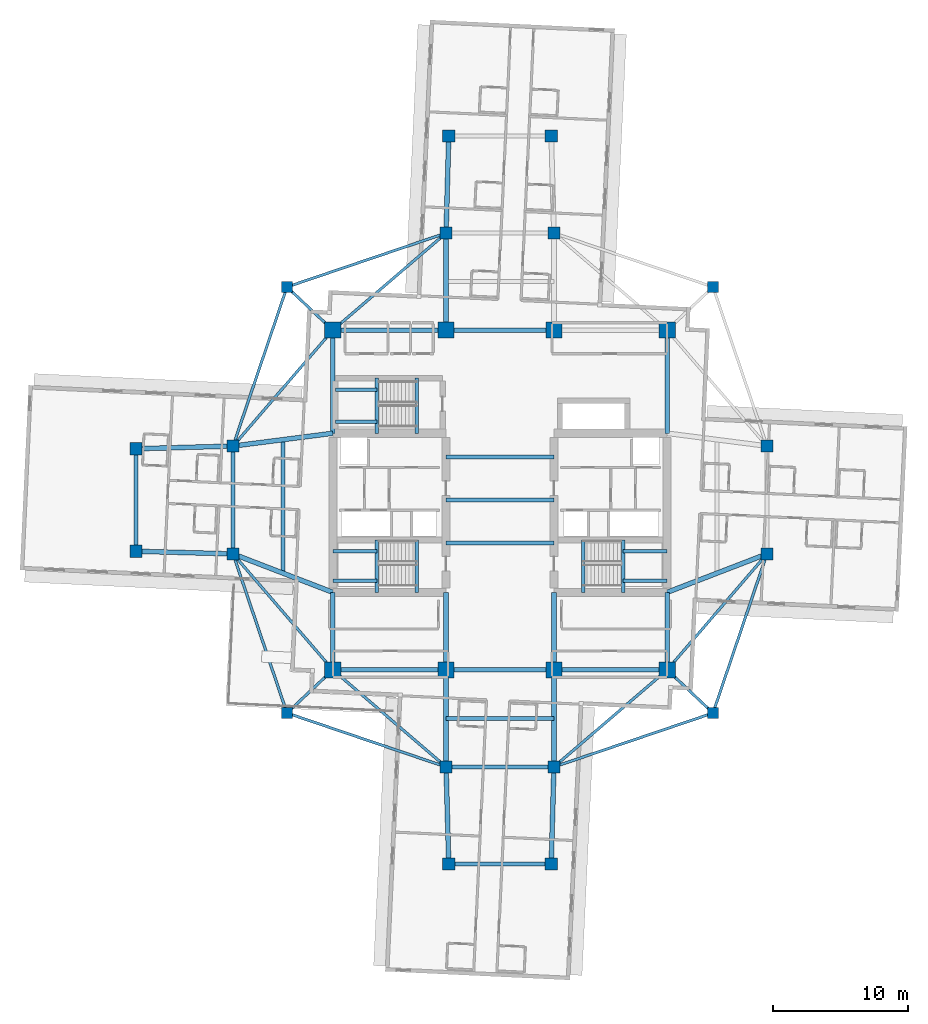
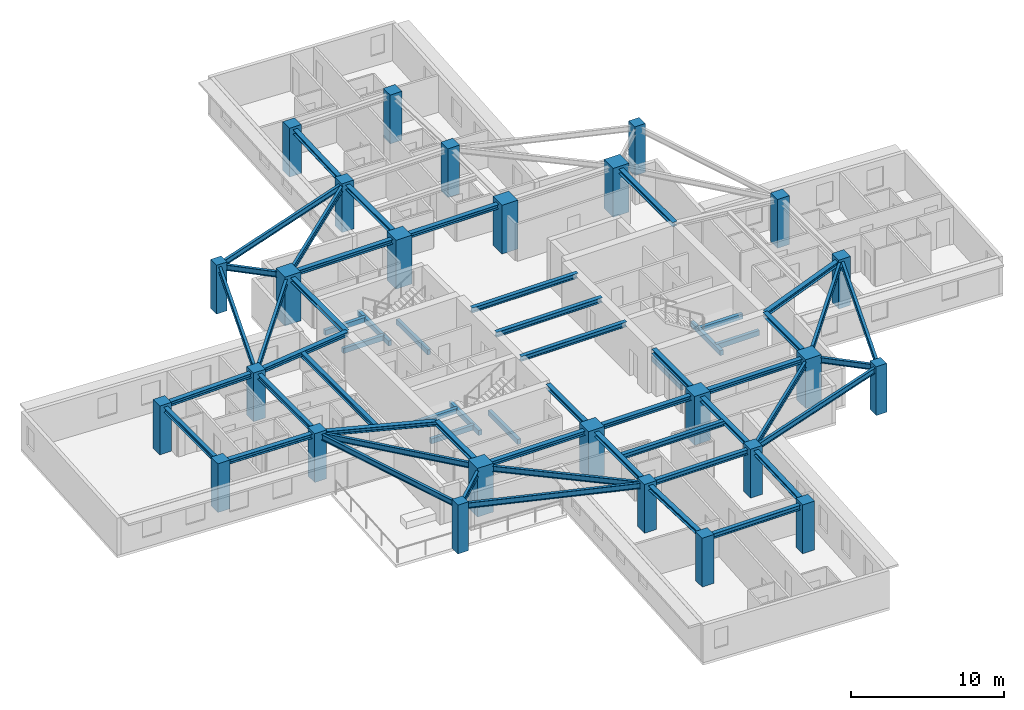
# One storey, part 1 of 14: 58 beams, 26 columns.
"""IFC4 building model written with IfcOpenShell, lengths in metres."""

from ifc_helpers import new_model, si_unit, direction, frame, origin, origin_2d, place, context, subcontext, project, spatial, rectangle, i_section, extrude, material, material_profile, profile_set, type_object, element, save


model = new_model("IFC4")

# Units and contexts
model_context = context("Model", 3, precision=1e-05, world=origin(), true_north=direction((0.0, 1.0)))
body_context = subcontext(model_context, "Body", "Model", "MODEL_VIEW")
ifc_project = project(units=[si_unit("LENGTHUNIT", "METRE"), si_unit("AREAUNIT", "SQUARE_METRE"), si_unit("VOLUMEUNIT", "CUBIC_METRE"), si_unit("PLANEANGLEUNIT", "RADIAN"), si_unit("MASSUNIT", "GRAM", prefix="KILO")], contexts=[model_context])

# Site, building, storey
site_placement = place(None, origin())
site = spatial("IfcSite", under=ifc_project, at=site_placement, CompositionType="ELEMENT")
building_placement = place(site_placement, origin())
building = spatial("IfcBuilding", under=site, at=building_placement, Name="Qingluan Cross Belvedere", CompositionType="ELEMENT")
storey_placement = place(building_placement, frame((0.0, 0.0, 156.60009765625)))
storey = spatial("IfcBuildingStorey", under=building, at=storey_placement, Name="L39", CompositionType="ELEMENT", Elevation=156.60009765625)

# Columns
ifc_material_1 = material(Name="Concrete C60", Category="concrete")
ifc_material_profile_1 = material_profile(ifc_material_1, rectangle(XDim=1.199951171875, YDim=1.199951171875, at=origin_2d()), Name="RC1200x1200")
ifc_profile_set_1 = profile_set([ifc_material_profile_1], Name="Concrete C60")
column_type_1 = type_object("IfcColumnType", Name="Column_RC1200x1200", PredefinedType="COLUMN", material=ifc_profile_set_1)
for number, where, z_axis, x_axis, name in (
    (1, (-12.39990234375, -12.60009765625, 0.0), (0.0, 0.0, 1.0), (1.0, 0.0, 0.0), "Hub column L39-HC1"),
    (2, (12.39990234375, -12.60009765625, 0.0), (0.0, 0.0, 1.0), (1.0, 0.0, 0.0), "Hub column L39-HC2"),
    (3, (12.39990234375, 12.60009765625, 0.0), (0.0, 0.0, 1.0), (1.0, 0.0, 0.0), "Hub column L39-HC3"),
    (4, (-12.39990234375, 12.60009765625, 0.0), (0.0, 0.0, 1.0), (1.0, 0.0, 0.0), "Hub column L39-HC4"),
    (5, (-4.0, -12.60009765625, 0.0), (0.0, 0.0, 1.0), (1.0, 0.0, 0.0), "Hub column L39-HC5"),
    (6, (4.0, -12.60009765625, 0.0), (0.0, 0.0, 1.0), (1.0, 0.0, 0.0), "Hub column L39-HC6"),
    (7, (4.0, 12.60009765625, 0.0), (0.0, 0.0, 1.0), (1.0, 0.0, 0.0), "Hub column L39-HC7"),
    (8, (-4.0, 12.60009765625, 0.0), (0.0, 0.0, 1.0), (1.0, 0.0, 0.0), "Hub column L39-HC8"),
):
    element("IfcColumn", number, at=place(storey_placement, frame(where, z_axis=z_axis, x_axis=x_axis)), inside=storey, type_object=column_type_1, Name=name, PredefinedType="COLUMN", context=body_context, shape_type="SweptSolid", body=[
        extrude(rectangle(XDim=1.199951171875, YDim=1.199951171875, at=origin_2d()), origin(), (0.0, 0.0, 1.0), 3.89990234375),
    ])
ifc_material_2 = material(Name="Concrete C50", Category="concrete")
ifc_material_profile_2 = material_profile(ifc_material_2, rectangle(XDim=0.800048828125, YDim=0.800048828125, at=origin_2d()), Name="RC800x800")
ifc_profile_set_2 = profile_set([ifc_material_profile_2], Name="Concrete C50")
column_type_2 = type_object("IfcColumnType", Name="Column_RC800x800", PredefinedType="COLUMN", material=ifc_profile_set_2)
for number, where, z_axis, x_axis, name in (
    (9, (15.800048828125, 15.800048828125, 0.0), (0.0, 0.0, 1.0), (1.0, 0.0, 0.0), "Corner column L39-RNE"),
    (10, (-15.800048828125, 15.800048828125, 0.0), (0.0, 0.0, 1.0), (1.0, 0.0, 0.0), "Corner column L39-RNW"),
    (11, (-15.800048828125, -15.800048828125, 0.0), (0.0, 0.0, 1.0), (1.0, 0.0, 0.0), "Corner column L39-RSW"),
    (12, (15.800048828125, -15.800048828125, 0.0), (0.0, 0.0, 1.0), (1.0, 0.0, 0.0), "Corner column L39-RSE"),
):
    element("IfcColumn", number, at=place(storey_placement, frame(where, z_axis=z_axis, x_axis=x_axis)), inside=storey, type_object=column_type_2, Name=name, PredefinedType="COLUMN", context=body_context, shape_type="SweptSolid", body=[
        extrude(rectangle(XDim=0.800048828125, YDim=0.800048828125, at=origin_2d()), origin(), (0.0, 0.0, 1.0), 3.89990234375),
    ])
ifc_material_3 = material(Name="Concrete C50", Category="concrete")
ifc_material_profile_3 = material_profile(ifc_material_3, rectangle(XDim=0.89990234375, YDim=0.89990234375, at=origin_2d()), Name="RC900x900")
ifc_profile_set_3 = profile_set([ifc_material_profile_3], Name="Concrete C50")
column_type_3 = type_object("IfcColumnType", Name="Column_RC900x900", PredefinedType="COLUMN", material=ifc_profile_set_3)
for number, where, z_axis, x_axis, name in (
    (13, (19.800048828125, -4.0, 0.0), (0.0, 0.0, 1.0), (1.0, 0.0, 0.0), "Arm column L39-EIA"),
    (14, (19.800048828125, 4.0, 0.0), (0.0, 0.0, 1.0), (1.0, 0.0, 0.0), "Arm column L39-EIB"),
    (15, (-19.800048828125, -4.0, 0.0), (0.0, 0.0, 1.0), (1.0, 0.0, 0.0), "Arm column L39-WIA"),
    (16, (-19.800048828125, 4.0, 0.0), (0.0, 0.0, 1.0), (1.0, 0.0, 0.0), "Arm column L39-WIB"),
    (17, (-4.0, -19.800048828125, 0.0), (0.0, 0.0, 1.0), (1.0, 0.0, 0.0), "Arm column L39-SIA"),
    (18, (4.0, -19.800048828125, 0.0), (0.0, 0.0, 1.0), (1.0, 0.0, 0.0), "Arm column L39-SIB"),
    (19, (-4.0, 19.800048828125, 0.0), (0.0, 0.0, 1.0), (1.0, 0.0, 0.0), "Arm column L39-NIA"),
    (20, (4.0, 19.800048828125, 0.0), (0.0, 0.0, 1.0), (1.0, 0.0, 0.0), "Arm column L39-NIB"),
    (21, (-27.0, -3.800048828125, 0.0), (0.0, 0.0, 1.0), (1.0, 0.0, 0.0), "Arm column L39-WOA"),
    (22, (-27.0, 3.800048828125, 0.0), (0.0, 0.0, 1.0), (1.0, 0.0, 0.0), "Arm column L39-WOB"),
    (23, (-3.800048828125, -27.0, 0.0), (0.0, 0.0, 1.0), (1.0, 0.0, 0.0), "Arm column L39-SOA"),
    (24, (3.800048828125, -27.0, 0.0), (0.0, 0.0, 1.0), (1.0, 0.0, 0.0), "Arm column L39-SOB"),
    (25, (-3.800048828125, 27.0, 0.0), (0.0, 0.0, 1.0), (1.0, 0.0, 0.0), "Arm column L39-NOA"),
    (26, (3.800048828125, 27.0, 0.0), (0.0, 0.0, 1.0), (1.0, 0.0, 0.0), "Arm column L39-NOB"),
):
    element("IfcColumn", number, at=place(storey_placement, frame(where, z_axis=z_axis, x_axis=x_axis)), inside=storey, type_object=column_type_3, Name=name, PredefinedType="COLUMN", context=body_context, shape_type="SweptSolid", body=[
        extrude(rectangle(XDim=0.89990234375, YDim=0.89990234375, at=origin_2d()), origin(), (0.0, 0.0, 1.0), 3.89990234375),
    ])

# Beams
ifc_material_4 = material(Name="Concrete C45", Category="concrete")
ifc_material_profile_4 = material_profile(ifc_material_4, rectangle(XDim=0.25, YDim=0.39990234375, at=origin_2d()), Name="RC250x400")
ifc_profile_set_4 = profile_set([ifc_material_profile_4], Name="Concrete C45")
beam_type_1 = type_object("IfcBeamType", Name="RC_Lintel_RC250x400", PredefinedType="LINTEL", material=ifc_profile_set_4)
for number, where, z_axis, x_axis, name in (
    (27, (-6.179931640625, -6.85009765625, -0.2001953125), (0.0, 1.0, 0.0), (-1.0, 0.0, 0.0), "Stair ST1 landing beam L39"),
    (28, (6.179931640625, -6.85009765625, -0.2001953125), (0.0, 1.0, 0.0), (-1.0, 0.0, 0.0), "Stair ST2 landing beam L39"),
):
    element("IfcBeam", number, at=place(storey_placement, frame(where, z_axis=z_axis, x_axis=x_axis)), inside=storey, type_object=beam_type_1, Name=name, PredefinedType="LINTEL", context=body_context, shape_type="SweptSolid", body=[
        extrude(rectangle(XDim=0.25, YDim=0.39990234375, at=origin_2d()), origin(), (0.0, 0.0, 1.0), 3.89013671875),
    ])
beam_1_placement = place(storey_placement, frame((-6.179931640625, 4.949951171875, -0.2001953125), z_axis=(0.0, 1.0, 0.0), x_axis=(-1.0, 0.0, 0.0)))
element("IfcBeam", 29, at=beam_1_placement, inside=storey, type_object=beam_type_1, Name="Stair ST3 landing beam L39", PredefinedType="LINTEL", context=body_context, shape_type="SweptSolid", body=[
    extrude(rectangle(XDim=0.25, YDim=0.39990234375, at=origin_2d()), origin(), (0.0, 0.0, 1.0), 4.090087890625),
])
beam_2_placement = place(storey_placement, frame((-9.1298828125, -6.85009765625, 1.5498046875), z_axis=(0.0, 1.0, 0.0), x_axis=(-1.0, 0.0, 0.0)))
element("IfcBeam", 30, at=beam_2_placement, inside=storey, type_object=beam_type_1, Name="Stair ST1 beam A L39", PredefinedType="LINTEL", context=body_context, shape_type="SweptSolid", body=[
    extrude(rectangle(XDim=0.25, YDim=0.39990234375, at=origin_2d()), origin(), (0.0, 0.0, 1.0), 3.89013671875),
])
for number, where, z_axis, x_axis, name in (
    (31, (-12.39990234375, -6.0, 1.5498046875), (1.0, 0.0, 0.0), (0.0, 1.0, 0.0), "Stair ST1 beam B L39"),
    (32, (-12.39990234375, -3.81005859375, 1.5498046875), (1.0, 0.0, 0.0), (0.0, 1.0, 0.0), "Stair ST1 beam C L39"),
):
    element("IfcBeam", number, at=place(storey_placement, frame(where, z_axis=z_axis, x_axis=x_axis)), inside=storey, type_object=beam_type_1, Name=name, PredefinedType="LINTEL", context=body_context, shape_type="SweptSolid", body=[
        extrude(rectangle(XDim=0.25, YDim=0.39990234375, at=origin_2d()), origin(), (0.0, 0.0, 1.0), 3.27001953125),
    ])
beam_3_placement = place(storey_placement, frame((9.1298828125, -6.85009765625, 1.5498046875), z_axis=(0.0, 1.0, 0.0), x_axis=(-1.0, 0.0, 0.0)))
element("IfcBeam", 33, at=beam_3_placement, inside=storey, type_object=beam_type_1, Name="Stair ST2 beam A L39", PredefinedType="LINTEL", context=body_context, shape_type="SweptSolid", body=[
    extrude(rectangle(XDim=0.25, YDim=0.39990234375, at=origin_2d()), origin(), (0.0, 0.0, 1.0), 3.89013671875),
])
for number, where, z_axis, x_axis, name in (
    (34, (12.39990234375, -6.0, 1.5498046875), (-1.0, 0.0, 0.0), (0.0, -1.0, 0.0), "Stair ST2 beam B L39"),
    (35, (12.39990234375, -3.81005859375, 1.5498046875), (-1.0, 0.0, 0.0), (0.0, -1.0, 0.0), "Stair ST2 beam C L39"),
):
    element("IfcBeam", number, at=place(storey_placement, frame(where, z_axis=z_axis, x_axis=x_axis)), inside=storey, type_object=beam_type_1, Name=name, PredefinedType="LINTEL", context=body_context, shape_type="SweptSolid", body=[
        extrude(rectangle(XDim=0.25, YDim=0.39990234375, at=origin_2d()), origin(), (0.0, 0.0, 1.0), 3.27001953125),
    ])
beam_4_placement = place(storey_placement, frame((-9.1298828125, 4.949951171875, 1.5498046875), z_axis=(0.0, 1.0, 0.0), x_axis=(-1.0, 0.0, 0.0)))
element("IfcBeam", 36, at=beam_4_placement, inside=storey, type_object=beam_type_1, Name="Stair ST3 beam A L39", PredefinedType="LINTEL", context=body_context, shape_type="SweptSolid", body=[
    extrude(rectangle(XDim=0.25, YDim=0.39990234375, at=origin_2d()), origin(), (0.0, 0.0, 1.0), 4.090087890625),
])
for number, where, z_axis, x_axis, name in (
    (37, (-12.219970703125, 5.800048828125, 1.5498046875), (1.0, 0.0, 0.0), (0.0, 1.0, 0.0), "Stair ST3 beam B L39"),
    (38, (-12.219970703125, 8.18994140625, 1.5498046875), (1.0, 0.0, 0.0), (0.0, 1.0, 0.0), "Stair ST3 beam C L39"),
):
    element("IfcBeam", number, at=place(storey_placement, frame(where, z_axis=z_axis, x_axis=x_axis)), inside=storey, type_object=beam_type_1, Name=name, PredefinedType="LINTEL", context=body_context, shape_type="SweptSolid", body=[
        extrude(rectangle(XDim=0.25, YDim=0.39990234375, at=origin_2d()), origin(), (0.0, 0.0, 1.0), 3.090087890625),
    ])
ifc_material_5 = material(Name="Steel Q420GJB", Category="steel")
ifc_material_profile_5 = material_profile(ifc_material_5, i_section(OverallWidth=0.300048828125, OverallDepth=0.389892578125, WebThickness=0.010009765625, FlangeThickness=0.01611328125, FilletRadius=0.01806640625, at=origin_2d()), Name="HM390x300x10x16")
ifc_profile_set_5 = profile_set([ifc_material_profile_5], Name="Steel Q420GJB")
beam_type_2 = type_object("IfcBeamType", Name="Steel_Beam_HM390x300x10x16", PredefinedType="BEAM", material=ifc_profile_set_5)
for number, where, z_axis, x_axis, name in (
    (39, (-4.0, -3.199951171875, 3.5048828125), (1.0, 0.0, 0.0), (0.0, 1.0, 0.0), "Hall beam L39-CH1"),
    (40, (-4.0, 0.0, 3.5048828125), (1.0, 0.0, 0.0), (0.0, 1.0, 0.0), "Hall beam L39-CH2"),
    (41, (-4.0, 3.199951171875, 3.5048828125), (1.0, 0.0, 0.0), (0.0, 1.0, 0.0), "Hall beam L39-CH3"),
    (42, (-19.800048828125, -4.0, 3.5048828125), (0.0, 1.0, 0.0), (-1.0, 0.0, 0.0), "Arm W tie L39"),
):
    element("IfcBeam", number, at=place(storey_placement, frame(where, z_axis=z_axis, x_axis=x_axis)), inside=storey, type_object=beam_type_2, Name=name, PredefinedType="BEAM", context=body_context, shape_type="SweptSolid", body=[
        extrude(i_section(OverallWidth=0.300048828125, OverallDepth=0.389892578125, WebThickness=0.010009765625, FlangeThickness=0.01611328125, FilletRadius=0.01806640625, at=origin_2d()), origin(), (0.0, 0.0, 1.0), 8.0),
    ])
beam_5_placement = place(storey_placement, frame((-16.10009765625, -5.425048828125, 3.5048828125), z_axis=(0.0, 1.0, 0.0), x_axis=(-1.0, 0.0, 0.0)))
element("IfcBeam", 43, at=beam_5_placement, inside=storey, type_object=beam_type_2, Name="Arm W beam L39", PredefinedType="BEAM", context=body_context, shape_type="SweptSolid", body=[
    extrude(i_section(OverallWidth=0.300048828125, OverallDepth=0.389892578125, WebThickness=0.010009765625, FlangeThickness=0.01611328125, FilletRadius=0.01806640625, at=origin_2d()), origin(), (0.0, 0.0, 1.0), 9.900146484375),
])
beam_6_placement = place(storey_placement, frame((-27.0, -3.800048828125, 3.5048828125), z_axis=(0.0, 1.0, 0.0), x_axis=(-1.0, 0.0, 0.0)))
element("IfcBeam", 44, at=beam_6_placement, inside=storey, type_object=beam_type_2, Name="Arm W tip transverse beam L39", PredefinedType="BEAM", context=body_context, shape_type="SweptSolid", body=[
    extrude(i_section(OverallWidth=0.300048828125, OverallDepth=0.389892578125, WebThickness=0.010009765625, FlangeThickness=0.01611328125, FilletRadius=0.01806640625, at=origin_2d()), origin(), (0.0, 0.0, 1.0), 7.60009765625),
])
for number, where, z_axis, x_axis, name in (
    (45, (-4.0, -19.800048828125, 3.5048828125), (1.0, 0.0, 0.0), (0.0, 1.0, 0.0), "Arm S tie L39"),
    (46, (-4.0, -16.199951171875, 3.5048828125), (1.0, 0.0, 0.0), (0.0, 1.0, 0.0), "Arm S beam L39"),
):
    element("IfcBeam", number, at=place(storey_placement, frame(where, z_axis=z_axis, x_axis=x_axis)), inside=storey, type_object=beam_type_2, Name=name, PredefinedType="BEAM", context=body_context, shape_type="SweptSolid", body=[
        extrude(i_section(OverallWidth=0.300048828125, OverallDepth=0.389892578125, WebThickness=0.010009765625, FlangeThickness=0.01611328125, FilletRadius=0.01806640625, at=origin_2d()), origin(), (0.0, 0.0, 1.0), 8.0),
    ])
beam_7_placement = place(storey_placement, frame((-3.800048828125, -27.0, 3.5048828125), z_axis=(1.0, 0.0, 0.0), x_axis=(0.0, 1.0, 0.0)))
element("IfcBeam", 47, at=beam_7_placement, inside=storey, type_object=beam_type_2, Name="Arm S tip transverse beam L39", PredefinedType="BEAM", context=body_context, shape_type="SweptSolid", body=[
    extrude(i_section(OverallWidth=0.300048828125, OverallDepth=0.389892578125, WebThickness=0.010009765625, FlangeThickness=0.01611328125, FilletRadius=0.01806640625, at=origin_2d()), origin(), (0.0, 0.0, 1.0), 7.60009765625),
])
ifc_material_6 = material(Name="Steel Q420GJB", Category="steel")
ifc_material_profile_6 = material_profile(ifc_material_6, i_section(OverallWidth=0.199951171875, OverallDepth=0.449951171875, WebThickness=0.009033203125, FlangeThickness=0.013916015625, FilletRadius=0.01611328125, at=origin_2d()), Name="HN450x200x9x14")
ifc_profile_set_6 = profile_set([ifc_material_profile_6], Name="Steel Q420GJB")
beam_type_3 = type_object("IfcBeamType", Name="Steel_Beam_HN450x200x9x14", PredefinedType="JOIST", material=ifc_profile_set_6)
beam_8_placement = place(storey_placement, frame((-12.39990234375, 12.60009765625, 3.474853515625), z_axis=(-0.728219948308, 0.685343495546, 0.0), x_axis=(-0.685343495546, -0.728219948308, 0.0)))
element("IfcBeam", 48, at=beam_8_placement, inside=storey, type_object=beam_type_3, Name="Corner beam 1 L39-RNW", PredefinedType="JOIST", context=body_context, shape_type="SweptSolid", body=[
    extrude(i_section(OverallWidth=0.199951171875, OverallDepth=0.449951171875, WebThickness=0.009033203125, FlangeThickness=0.013916015625, FilletRadius=0.01611328125, at=origin_2d()), origin(), (0.0, 0.0, 1.0), 4.669189453125),
])
for number, where, z_axis, x_axis, name in (
    (49, (-15.800048828125, 15.800048828125, 3.474853515625), (0.947066283324, 0.321038089628, 0.0), (-0.321038089628, 0.947066283324, 0.0), "Corner beam 2 L39-RNW"),
    (50, (-15.800048828125, 15.800048828125, 3.474853515625), (-0.321038089628, -0.947066283324, 0.0), (0.947066283324, -0.321038089628, 0.0), "Corner beam 3 L39-RNW"),
):
    element("IfcBeam", number, at=place(storey_placement, frame(where, z_axis=z_axis, x_axis=x_axis)), inside=storey, type_object=beam_type_3, Name=name, PredefinedType="JOIST", context=body_context, shape_type="SweptSolid", body=[
        extrude(i_section(OverallWidth=0.199951171875, OverallDepth=0.449951171875, WebThickness=0.009033203125, FlangeThickness=0.013916015625, FilletRadius=0.01611328125, at=origin_2d()), origin(), (0.0, 0.0, 1.0), 12.45947265625),
    ])
beam_9_placement = place(storey_placement, frame((-12.39990234375, 12.60009765625, 3.474853515625), z_axis=(-0.652245077546, -0.75800815221, 0.0), x_axis=(0.75800815221, -0.652245077546, 0.0)))
element("IfcBeam", 51, at=beam_9_placement, inside=storey, type_object=beam_type_3, Name="Corner beam 4 L39-RNW", PredefinedType="JOIST", context=body_context, shape_type="SweptSolid", body=[
    extrude(i_section(OverallWidth=0.199951171875, OverallDepth=0.449951171875, WebThickness=0.009033203125, FlangeThickness=0.013916015625, FilletRadius=0.01611328125, at=origin_2d()), origin(), (0.0, 0.0, 1.0), 11.345703125),
])
beam_10_placement = place(storey_placement, frame((-12.39990234375, 12.60009765625, 3.474853515625), z_axis=(0.759255044656, 0.650793190779, 0.0), x_axis=(-0.650793190779, 0.759255044656, 0.0)))
element("IfcBeam", 52, at=beam_10_placement, inside=storey, type_object=beam_type_3, Name="Corner beam 5 L39-RNW", PredefinedType="JOIST", context=body_context, shape_type="SweptSolid", body=[
    extrude(i_section(OverallWidth=0.199951171875, OverallDepth=0.449951171875, WebThickness=0.009033203125, FlangeThickness=0.013916015625, FilletRadius=0.01611328125, at=origin_2d()), origin(), (0.0, 0.0, 1.0), 11.063232421875),
])
beam_11_placement = place(storey_placement, frame((-12.39990234375, -12.60009765625, 3.454833984375), z_axis=(-0.728219948308, -0.685343495546, 0.0), x_axis=(0.685343495546, -0.728219948308, 0.0)))
element("IfcBeam", 53, at=beam_11_placement, inside=storey, type_object=beam_type_3, Name="Corner beam 1 L39-RSW", PredefinedType="JOIST", context=body_context, shape_type="SweptSolid", body=[
    extrude(i_section(OverallWidth=0.199951171875, OverallDepth=0.449951171875, WebThickness=0.009033203125, FlangeThickness=0.013916015625, FilletRadius=0.01611328125, at=origin_2d()), origin(), (0.0, 0.0, 1.0), 4.669189453125),
])
for number, where, z_axis, x_axis, name in (
    (54, (-15.800048828125, -15.800048828125, 3.474853515625), (0.947066283324, -0.321038089628, 0.0), (0.321038089628, 0.947066283324, 0.0), "Corner beam 2 L39-RSW"),
    (55, (-15.800048828125, -15.800048828125, 3.454833984375), (-0.321038089628, 0.947066283324, 0.0), (-0.947066283324, -0.321038089628, 0.0), "Corner beam 3 L39-RSW"),
):
    element("IfcBeam", number, at=place(storey_placement, frame(where, z_axis=z_axis, x_axis=x_axis)), inside=storey, type_object=beam_type_3, Name=name, PredefinedType="JOIST", context=body_context, shape_type="SweptSolid", body=[
        extrude(i_section(OverallWidth=0.199951171875, OverallDepth=0.449951171875, WebThickness=0.009033203125, FlangeThickness=0.013916015625, FilletRadius=0.01611328125, at=origin_2d()), origin(), (0.0, 0.0, 1.0), 12.45947265625),
    ])
beam_12_placement = place(storey_placement, frame((-12.39990234375, -12.60009765625, 3.454833984375), z_axis=(-0.652245077546, 0.75800815221, 0.0), x_axis=(-0.75800815221, -0.652245077546, 0.0)))
element("IfcBeam", 56, at=beam_12_placement, inside=storey, type_object=beam_type_3, Name="Corner beam 4 L39-RSW", PredefinedType="JOIST", context=body_context, shape_type="SweptSolid", body=[
    extrude(i_section(OverallWidth=0.199951171875, OverallDepth=0.449951171875, WebThickness=0.009033203125, FlangeThickness=0.013916015625, FilletRadius=0.01611328125, at=origin_2d()), origin(), (0.0, 0.0, 1.0), 11.345703125),
])
beam_13_placement = place(storey_placement, frame((-12.39990234375, -12.60009765625, 3.454833984375), z_axis=(0.759255044656, -0.650793190779, 0.0), x_axis=(0.650793190779, 0.759255044656, 0.0)))
element("IfcBeam", 57, at=beam_13_placement, inside=storey, type_object=beam_type_3, Name="Corner beam 5 L39-RSW", PredefinedType="JOIST", context=body_context, shape_type="SweptSolid", body=[
    extrude(i_section(OverallWidth=0.199951171875, OverallDepth=0.449951171875, WebThickness=0.009033203125, FlangeThickness=0.013916015625, FilletRadius=0.01611328125, at=origin_2d()), origin(), (0.0, 0.0, 1.0), 11.063232421875),
])
beam_14_placement = place(storey_placement, frame((12.39990234375, -12.60009765625, 3.474853515625), z_axis=(0.728219948308, -0.685343495546, 0.0), x_axis=(0.685343495546, 0.728219948308, 0.0)))
element("IfcBeam", 58, at=beam_14_placement, inside=storey, type_object=beam_type_3, Name="Corner beam 1 L39-RSE", PredefinedType="JOIST", context=body_context, shape_type="SweptSolid", body=[
    extrude(i_section(OverallWidth=0.199951171875, OverallDepth=0.449951171875, WebThickness=0.009033203125, FlangeThickness=0.013916015625, FilletRadius=0.01611328125, at=origin_2d()), origin(), (0.0, 0.0, 1.0), 4.669189453125),
])
for number, where, z_axis, x_axis, name in (
    (59, (15.800048828125, -15.800048828125, 3.474853515625), (-0.947066283324, -0.321038089628, 0.0), (0.321038089628, -0.947066283324, 0.0), "Corner beam 2 L39-RSE"),
    (60, (15.800048828125, -15.800048828125, 3.474853515625), (0.321038089628, 0.947066283324, 0.0), (-0.947066283324, 0.321038089628, 0.0), "Corner beam 3 L39-RSE"),
):
    element("IfcBeam", number, at=place(storey_placement, frame(where, z_axis=z_axis, x_axis=x_axis)), inside=storey, type_object=beam_type_3, Name=name, PredefinedType="JOIST", context=body_context, shape_type="SweptSolid", body=[
        extrude(i_section(OverallWidth=0.199951171875, OverallDepth=0.449951171875, WebThickness=0.009033203125, FlangeThickness=0.013916015625, FilletRadius=0.01611328125, at=origin_2d()), origin(), (0.0, 0.0, 1.0), 12.45947265625),
    ])
beam_15_placement = place(storey_placement, frame((12.39990234375, -12.60009765625, 3.474853515625), z_axis=(0.652245077546, 0.75800815221, 0.0), x_axis=(-0.75800815221, 0.652245077546, 0.0)))
element("IfcBeam", 61, at=beam_15_placement, inside=storey, type_object=beam_type_3, Name="Corner beam 4 L39-RSE", PredefinedType="JOIST", context=body_context, shape_type="SweptSolid", body=[
    extrude(i_section(OverallWidth=0.199951171875, OverallDepth=0.449951171875, WebThickness=0.009033203125, FlangeThickness=0.013916015625, FilletRadius=0.01611328125, at=origin_2d()), origin(), (0.0, 0.0, 1.0), 11.345703125),
])
beam_16_placement = place(storey_placement, frame((12.39990234375, -12.60009765625, 3.474853515625), z_axis=(-0.759255044656, -0.650793190779, 0.0), x_axis=(0.650793190779, -0.759255044656, 0.0)))
element("IfcBeam", 62, at=beam_16_placement, inside=storey, type_object=beam_type_3, Name="Corner beam 5 L39-RSE", PredefinedType="JOIST", context=body_context, shape_type="SweptSolid", body=[
    extrude(i_section(OverallWidth=0.199951171875, OverallDepth=0.449951171875, WebThickness=0.009033203125, FlangeThickness=0.013916015625, FilletRadius=0.01611328125, at=origin_2d()), origin(), (0.0, 0.0, 1.0), 11.063232421875),
])
ifc_material_7 = material(Name="Steel Q420GJB", Category="steel")
ifc_material_profile_7 = material_profile(ifc_material_7, i_section(OverallWidth=0.35009765625, OverallDepth=0.35009765625, WebThickness=0.011962890625, FlangeThickness=0.01904296875, FilletRadius=0.02001953125, at=origin_2d()), Name="HW350x350x12x19")
ifc_profile_set_7 = profile_set([ifc_material_profile_7], Name="Steel Q420GJB")
beam_type_4 = type_object("IfcBeamType", Name="Steel_Girder_HW350x350x12x19", PredefinedType="USERDEFINED", material=ifc_profile_set_7)
beam_17_placement = place(storey_placement, frame((-12.39990234375, -12.60009765625, 3.52490234375), z_axis=(1.0, 0.0, 0.0), x_axis=(0.0, 1.0, 0.0)))
element("IfcBeam", 63, at=beam_17_placement, inside=storey, type_object=beam_type_4, Name="Hub girder L39-HG-S1", ObjectType="GIRDER", PredefinedType="USERDEFINED", context=body_context, shape_type="SweptSolid", body=[
    extrude(i_section(OverallWidth=0.35009765625, OverallDepth=0.35009765625, WebThickness=0.011962890625, FlangeThickness=0.01904296875, FilletRadius=0.02001953125, at=origin_2d()), origin(), (0.0, 0.0, 1.0), 8.39990234375),
])
beam_18_placement = place(storey_placement, frame((-4.0, -12.60009765625, 3.52490234375), z_axis=(1.0, 0.0, 0.0), x_axis=(0.0, 1.0, 0.0)))
element("IfcBeam", 64, at=beam_18_placement, inside=storey, type_object=beam_type_4, Name="Hub girder L39-HG-S2", ObjectType="GIRDER", PredefinedType="USERDEFINED", context=body_context, shape_type="SweptSolid", body=[
    extrude(i_section(OverallWidth=0.35009765625, OverallDepth=0.35009765625, WebThickness=0.011962890625, FlangeThickness=0.01904296875, FilletRadius=0.02001953125, at=origin_2d()), origin(), (0.0, 0.0, 1.0), 8.0),
])
for number, where, z_axis, x_axis, name in (
    (65, (4.0, -12.60009765625, 3.52490234375), (1.0, 0.0, 0.0), (0.0, 1.0, 0.0), "Hub girder L39-HG-S3"),
    (66, (-12.39990234375, 12.60009765625, 3.52490234375), (1.0, 0.0, 0.0), (0.0, 1.0, 0.0), "Hub girder L39-HG-N1"),
):
    element("IfcBeam", number, at=place(storey_placement, frame(where, z_axis=z_axis, x_axis=x_axis)), inside=storey, type_object=beam_type_4, Name=name, ObjectType="GIRDER", PredefinedType="USERDEFINED", context=body_context, shape_type="SweptSolid", body=[
        extrude(i_section(OverallWidth=0.35009765625, OverallDepth=0.35009765625, WebThickness=0.011962890625, FlangeThickness=0.01904296875, FilletRadius=0.02001953125, at=origin_2d()), origin(), (0.0, 0.0, 1.0), 8.39990234375),
    ])
beam_19_placement = place(storey_placement, frame((-4.0, 12.60009765625, 3.52490234375), z_axis=(1.0, 0.0, 0.0), x_axis=(0.0, 1.0, 0.0)))
element("IfcBeam", 67, at=beam_19_placement, inside=storey, type_object=beam_type_4, Name="Hub girder L39-HG-N2", ObjectType="GIRDER", PredefinedType="USERDEFINED", context=body_context, shape_type="SweptSolid", body=[
    extrude(i_section(OverallWidth=0.35009765625, OverallDepth=0.35009765625, WebThickness=0.011962890625, FlangeThickness=0.01904296875, FilletRadius=0.02001953125, at=origin_2d()), origin(), (0.0, 0.0, 1.0), 8.0),
])
beam_20_placement = place(storey_placement, frame((-12.39990234375, -12.60009765625, 3.52490234375), z_axis=(0.0, 1.0, 0.0), x_axis=(-1.0, 0.0, 0.0)))
element("IfcBeam", 68, at=beam_20_placement, inside=storey, type_object=beam_type_4, Name="Hub girder L39-HG-W1", ObjectType="GIRDER", PredefinedType="USERDEFINED", context=body_context, shape_type="SweptSolid", body=[
    extrude(i_section(OverallWidth=0.35009765625, OverallDepth=0.35009765625, WebThickness=0.011962890625, FlangeThickness=0.01904296875, FilletRadius=0.02001953125, at=origin_2d()), origin(), (0.0, 0.0, 1.0), 5.75),
])
beam_21_placement = place(storey_placement, frame((-12.39990234375, 4.949951171875, 3.52490234375), z_axis=(0.0, 1.0, 0.0), x_axis=(-1.0, 0.0, 0.0)))
element("IfcBeam", 69, at=beam_21_placement, inside=storey, type_object=beam_type_4, Name="Hub girder L39-HG-W2", ObjectType="GIRDER", PredefinedType="USERDEFINED", context=body_context, shape_type="SweptSolid", body=[
    extrude(i_section(OverallWidth=0.35009765625, OverallDepth=0.35009765625, WebThickness=0.011962890625, FlangeThickness=0.01904296875, FilletRadius=0.02001953125, at=origin_2d()), origin(), (0.0, 0.0, 1.0), 7.650146484375),
])
beam_22_placement = place(storey_placement, frame((12.39990234375, -12.60009765625, 3.52490234375), z_axis=(0.0, 1.0, 0.0), x_axis=(-1.0, 0.0, 0.0)))
element("IfcBeam", 70, at=beam_22_placement, inside=storey, type_object=beam_type_4, Name="Hub girder L39-HG-E1", ObjectType="GIRDER", PredefinedType="USERDEFINED", context=body_context, shape_type="SweptSolid", body=[
    extrude(i_section(OverallWidth=0.35009765625, OverallDepth=0.35009765625, WebThickness=0.011962890625, FlangeThickness=0.01904296875, FilletRadius=0.02001953125, at=origin_2d()), origin(), (0.0, 0.0, 1.0), 5.75),
])
beam_23_placement = place(storey_placement, frame((12.39990234375, 4.949951171875, 3.52490234375), z_axis=(0.0, 1.0, 0.0), x_axis=(-1.0, 0.0, 0.0)))
element("IfcBeam", 71, at=beam_23_placement, inside=storey, type_object=beam_type_4, Name="Hub girder L39-HG-E2", ObjectType="GIRDER", PredefinedType="USERDEFINED", context=body_context, shape_type="SweptSolid", body=[
    extrude(i_section(OverallWidth=0.35009765625, OverallDepth=0.35009765625, WebThickness=0.011962890625, FlangeThickness=0.01904296875, FilletRadius=0.02001953125, at=origin_2d()), origin(), (0.0, 0.0, 1.0), 7.650146484375),
])
for number, where, z_axis, x_axis, name in (
    (72, (-4.0, -12.60009765625, 3.52490234375), (0.0, 1.0, 0.0), (-1.0, 0.0, 0.0), "Hub girder L39-HG-CW"),
    (73, (4.0, -12.60009765625, 3.52490234375), (0.0, 1.0, 0.0), (-1.0, 0.0, 0.0), "Hub girder L39-HG-CE"),
):
    element("IfcBeam", number, at=place(storey_placement, frame(where, z_axis=z_axis, x_axis=x_axis)), inside=storey, type_object=beam_type_4, Name=name, ObjectType="GIRDER", PredefinedType="USERDEFINED", context=body_context, shape_type="SweptSolid", body=[
        extrude(i_section(OverallWidth=0.35009765625, OverallDepth=0.35009765625, WebThickness=0.011962890625, FlangeThickness=0.01904296875, FilletRadius=0.02001953125, at=origin_2d()), origin(), (0.0, 0.0, 1.0), 5.75),
    ])
for number, where, z_axis, x_axis, name in (
    (74, (12.39990234375, -6.85009765625, 3.52490234375), (0.933181258889, 0.359406090735, 0.0), (-0.359406090735, 0.933181258889, 0.0), "Arm E radial girder A L39"),
    (75, (-12.39990234375, -6.85009765625, 3.52490234375), (-0.933181258889, 0.359406090735, 0.0), (-0.359406090735, -0.933181258889, 0.0), "Arm W radial girder A L39"),
):
    element("IfcBeam", number, at=place(storey_placement, frame(where, z_axis=z_axis, x_axis=x_axis)), inside=storey, type_object=beam_type_4, Name=name, ObjectType="GIRDER", PredefinedType="USERDEFINED", context=body_context, shape_type="SweptSolid", body=[
        extrude(i_section(OverallWidth=0.35009765625, OverallDepth=0.35009765625, WebThickness=0.011962890625, FlangeThickness=0.01904296875, FilletRadius=0.02001953125, at=origin_2d()), origin(), (0.0, 0.0, 1.0), 7.929931640625),
    ])
beam_24_placement = place(storey_placement, frame((-12.39990234375, 4.949951171875, 3.52490234375), z_axis=(-0.991861120628, -0.12732445714, 0.0), x_axis=(0.12732445714, -0.991861120628, 0.0)))
element("IfcBeam", 76, at=beam_24_placement, inside=storey, type_object=beam_type_4, Name="Arm W radial girder B L39", ObjectType="GIRDER", PredefinedType="USERDEFINED", context=body_context, shape_type="SweptSolid", body=[
    extrude(i_section(OverallWidth=0.35009765625, OverallDepth=0.35009765625, WebThickness=0.011962890625, FlangeThickness=0.01904296875, FilletRadius=0.02001953125, at=origin_2d()), origin(), (0.0, 0.0, 1.0), 7.4609375),
])
for number, where, z_axis, x_axis, name in (
    (77, (-19.800048828125, -4.0, 3.52490234375), (-0.999614603568, 0.027760481514, 0.0), (-0.027760481514, -0.999614603568, 0.0), "Arm W outer radial girder A L39"),
    (78, (-19.800048828125, 4.0, 3.52490234375), (-0.999614603568, -0.027760481514, 0.0), (0.027760481514, -0.999614603568, 0.0), "Arm W outer radial girder B L39"),
):
    element("IfcBeam", number, at=place(storey_placement, frame(where, z_axis=z_axis, x_axis=x_axis)), inside=storey, type_object=beam_type_4, Name=name, ObjectType="GIRDER", PredefinedType="USERDEFINED", context=body_context, shape_type="SweptSolid", body=[
        extrude(i_section(OverallWidth=0.35009765625, OverallDepth=0.35009765625, WebThickness=0.011962890625, FlangeThickness=0.01904296875, FilletRadius=0.02001953125, at=origin_2d()), origin(), (0.0, 0.0, 1.0), 7.20263671875),
    ])
beam_25_placement = place(storey_placement, frame((-4.0, 12.60009765625, 3.52490234375), z_axis=(0.0, 1.0, 0.0), x_axis=(-1.0, 0.0, 0.0)))
element("IfcBeam", 79, at=beam_25_placement, inside=storey, type_object=beam_type_4, Name="Arm N radial girder A L39", ObjectType="GIRDER", PredefinedType="USERDEFINED", context=body_context, shape_type="SweptSolid", body=[
    extrude(i_section(OverallWidth=0.35009765625, OverallDepth=0.35009765625, WebThickness=0.011962890625, FlangeThickness=0.01904296875, FilletRadius=0.02001953125, at=origin_2d()), origin(), (0.0, 0.0, 1.0), 7.199951171875),
])
beam_26_placement = place(storey_placement, frame((-4.0, 19.800048828125, 3.52490234375), z_axis=(0.027760481514, 0.999614603568, 0.0), x_axis=(-0.999614603568, 0.027760481514, 0.0)))
element("IfcBeam", 80, at=beam_26_placement, inside=storey, type_object=beam_type_4, Name="Arm N outer radial girder A L39", ObjectType="GIRDER", PredefinedType="USERDEFINED", context=body_context, shape_type="SweptSolid", body=[
    extrude(i_section(OverallWidth=0.35009765625, OverallDepth=0.35009765625, WebThickness=0.011962890625, FlangeThickness=0.01904296875, FilletRadius=0.02001953125, at=origin_2d()), origin(), (0.0, 0.0, 1.0), 7.20263671875),
])
for number, where, z_axis, x_axis, name in (
    (81, (-4.0, -12.60009765625, 3.52490234375), (0.0, -1.0, 0.0), (1.0, 0.0, 0.0), "Arm S radial girder A L39"),
    (82, (4.0, -12.60009765625, 3.52490234375), (0.0, -1.0, 0.0), (1.0, 0.0, 0.0), "Arm S radial girder B L39"),
):
    element("IfcBeam", number, at=place(storey_placement, frame(where, z_axis=z_axis, x_axis=x_axis)), inside=storey, type_object=beam_type_4, Name=name, ObjectType="GIRDER", PredefinedType="USERDEFINED", context=body_context, shape_type="SweptSolid", body=[
        extrude(i_section(OverallWidth=0.35009765625, OverallDepth=0.35009765625, WebThickness=0.011962890625, FlangeThickness=0.01904296875, FilletRadius=0.02001953125, at=origin_2d()), origin(), (0.0, 0.0, 1.0), 7.199951171875),
    ])
for number, where, z_axis, x_axis, name in (
    (83, (-4.0, -19.800048828125, 3.52490234375), (0.027760481514, -0.999614603568, 0.0), (0.999614603568, 0.027760481514, 0.0), "Arm S outer radial girder A L39"),
    (84, (4.0, -19.800048828125, 3.52490234375), (-0.027760481514, -0.999614603568, 0.0), (0.999614603568, -0.027760481514, 0.0), "Arm S outer radial girder B L39"),
):
    element("IfcBeam", number, at=place(storey_placement, frame(where, z_axis=z_axis, x_axis=x_axis)), inside=storey, type_object=beam_type_4, Name=name, ObjectType="GIRDER", PredefinedType="USERDEFINED", context=body_context, shape_type="SweptSolid", body=[
        extrude(i_section(OverallWidth=0.35009765625, OverallDepth=0.35009765625, WebThickness=0.011962890625, FlangeThickness=0.01904296875, FilletRadius=0.02001953125, at=origin_2d()), origin(), (0.0, 0.0, 1.0), 7.20263671875),
    ])

save(model, "model.ifc")
